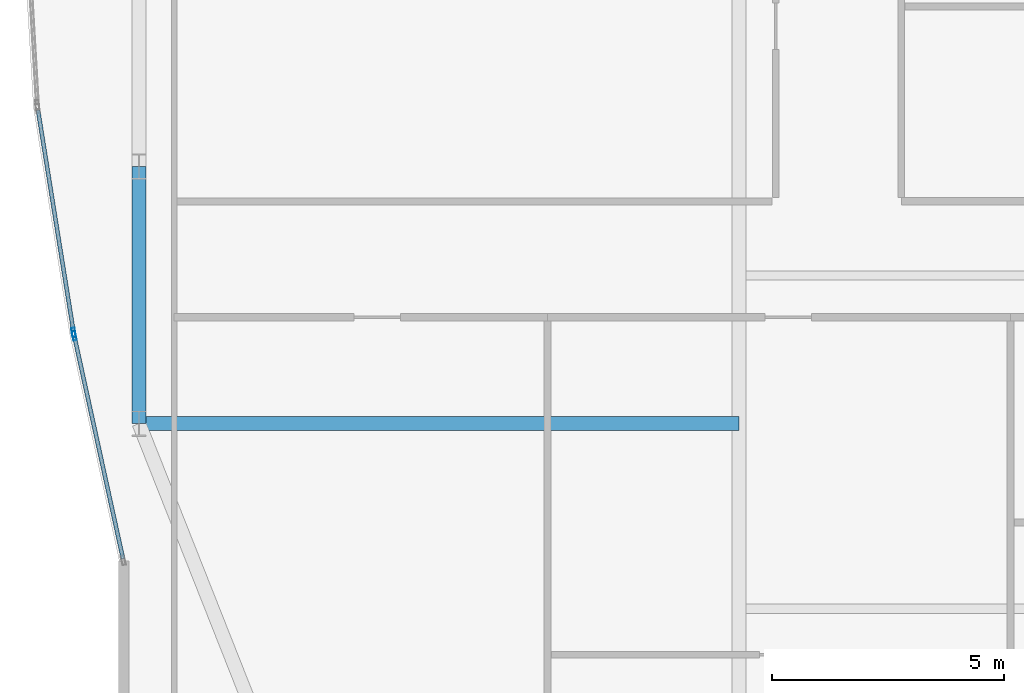
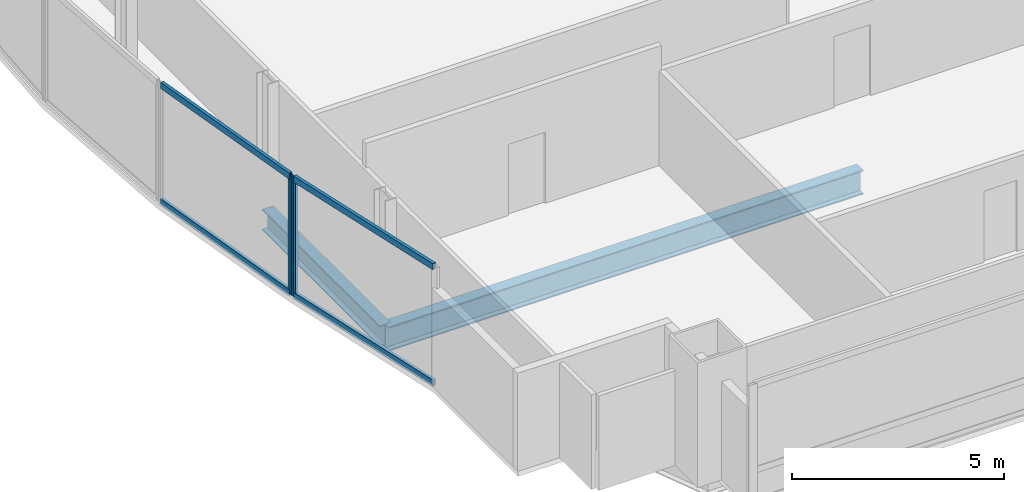
# One storey, part 6 of 29: 6 members, 2 beams, 2 elements without a shape of their own.
"""IFC4 building model written with IfcOpenShell, lengths in metres."""

from ifc_helpers import new_model, si_unit, direction, frame, origin, origin_2d, place, context, subcontext, project, spatial, hollow_rectangle, i_section, extrude, material, material_profile, profile_set, type_object, element, aggregate, save


model = new_model("IFC4")

# Units and contexts
model_context = context("Model", 3, precision=1e-05, world=origin(), true_north=direction((0.0, 1.0)))
body_context = subcontext(model_context, "Body", "Model", "MODEL_VIEW")
ifc_project = project(units=[si_unit("LENGTHUNIT", "METRE"), si_unit("AREAUNIT", "SQUARE_METRE"), si_unit("VOLUMEUNIT", "CUBIC_METRE"), si_unit("PLANEANGLEUNIT", "RADIAN"), si_unit("MASSUNIT", "GRAM", prefix="KILO")], contexts=[model_context])

# Site, building, storey
site_placement = place(None, origin())
site = spatial("IfcSite", under=ifc_project, at=site_placement, CompositionType="ELEMENT")
building_placement = place(site_placement, origin())
building = spatial("IfcBuilding", under=site, at=building_placement, Name="Khoronbel Lancet Exchange", CompositionType="ELEMENT")
storey_placement = place(building_placement, frame((0.0, 0.0, 161.39990234375)))
storey = spatial("IfcBuildingStorey", under=building, at=storey_placement, Name="L40", CompositionType="ELEMENT", Elevation=161.39990234375)

# Beams
ifc_material_1 = material(Name="Steel S355", Category="steel")
ifc_material_profile_1 = material_profile(ifc_material_1, i_section(OverallWidth=0.300048828125, OverallDepth=0.699951171875, WebThickness=0.01708984375, FlangeThickness=0.031982421875, at=origin_2d()), Name="HEB 700")
ifc_profile_set_1 = profile_set([ifc_material_profile_1], Name="Steel S355")
beam_type_1 = type_object("IfcBeamType", Name="BM-BG3", PredefinedType="BEAM", material=ifc_profile_set_1)
beam_1_placement = place(storey_placement, frame((5.27001953125, 19.199951171875, -0.510009765625), z_axis=(1.0, 0.0, 0.0), x_axis=(0.0, 1.0, 0.0)))
element("IfcBeam", 1, at=beam_1_placement, inside=storey, type_object=beam_type_1, Name="Level L40 west lens tie girder LG1W", PredefinedType="BEAM", context=body_context, shape_type="SweptSolid", body=[
    extrude(i_section(OverallWidth=0.300048828125, OverallDepth=0.699951171875, WebThickness=0.01708984375, FlangeThickness=0.031982421875, at=origin_2d()), origin(), (0.0, 0.0, 1.0), 12.955078125),
])
ifc_material_profile_2 = material_profile(ifc_material_1, i_section(OverallWidth=0.300048828125, OverallDepth=0.60009765625, WebThickness=0.015380859375, FlangeThickness=0.030029296875, at=origin_2d()), Name="HEB 600")
ifc_profile_set_2 = profile_set([ifc_material_profile_2], Name="Steel S355")
beam_type_2 = type_object("IfcBeamType", Name="BM-BSP2", PredefinedType="SPANDREL", material=ifc_profile_set_2)
beam_2_placement = place(storey_placement, frame((5.27001953125, 24.75, -0.4599609375), z_axis=(0.0, -1.0, 0.0), x_axis=(1.0, 0.0, 0.0)))
element("IfcBeam", 2, at=beam_2_placement, inside=storey, type_object=beam_type_2, Name="Level L40 perimeter spandrel beam SP20", PredefinedType="SPANDREL", context=body_context, shape_type="SweptSolid", body=[
    extrude(i_section(OverallWidth=0.300048828125, OverallDepth=0.60009765625, WebThickness=0.015380859375, FlangeThickness=0.030029296875, at=origin_2d()), origin(), (0.0, 0.0, 1.0), 5.550048828125),
])

# Curtain wall, member
ifc_material_2 = material(Name="Low-E Solar Control Insulating Glass", Category="glass")
curtain_wall_type = type_object("IfcCurtainWallType", Name="CW-4", PredefinedType="NOTDEFINED", material=ifc_material_2)
curtain_wall_1_placement = place(storey_placement, origin())
curtain_wall_1 = element("IfcCurtainWall", 3, at=curtain_wall_1_placement, inside=storey, type_object=curtain_wall_type, Name="Unitised curtain wall CW-L40-E04", PredefinedType="NOTDEFINED")
ifc_material_3 = material(Name="Bronze-Anodised Aluminium 6063-T6", Category="aluminium")
ifc_material_profile_3 = material_profile(ifc_material_3, hollow_rectangle(XDim=0.074951171875, YDim=0.199951171875, WallThickness=0.0048828125, at=origin_2d()), Name="ALU MULLION 75x200")
ifc_profile_set_3 = profile_set([ifc_material_profile_3], Name="Bronze-Anodised Aluminium 6063-T6")
member_type_1 = type_object("IfcMemberType", Name="MEM-CWM2", PredefinedType="MULLION", material=ifc_profile_set_3)
member_1_placement = place(storey_placement, frame((3.87158203125, 21.0966796875, 0.0), z_axis=(0.0, 0.0, 1.0), x_axis=(-0.976923181341, -0.213590958982, 0.0)))
member_1 = element("IfcMember", 4, at=member_1_placement, type_object=member_type_1, Name="CW4 mullion 2", PredefinedType="MULLION", context=body_context, shape_type="SweptSolid", body=[
    extrude(hollow_rectangle(XDim=0.074951171875, YDim=0.199951171875, WallThickness=0.0048828125, at=origin_2d()), origin(), (0.0, 0.0, 1.0), 3.440185546875),
])

curtain_wall_2_placement = place(storey_placement, origin())
curtain_wall_2 = element("IfcCurtainWall", 5, at=curtain_wall_2_placement, inside=storey, type_object=curtain_wall_type, Name="Unitised curtain wall CW-L40-E05", PredefinedType="NOTDEFINED")
member_2_placement = place(storey_placement, frame((3.857666015625, 21.17041015625, 0.0), z_axis=(0.0, 0.0, 1.0), x_axis=(-0.987429710822, -0.158058742835, 0.0)))
member_2 = element("IfcMember", 6, at=member_2_placement, type_object=member_type_1, Name="CW4 mullion 1", PredefinedType="MULLION", context=body_context, shape_type="SweptSolid", body=[
    extrude(hollow_rectangle(XDim=0.074951171875, YDim=0.199951171875, WallThickness=0.0048828125, at=origin_2d()), origin(), (0.0, 0.0, 1.0), 3.440185546875),
])

# Member
ifc_material_profile_4 = material_profile(ifc_material_3, hollow_rectangle(XDim=0.0849609375, YDim=0.179931640625, WallThickness=0.0048828125, at=origin_2d()), Name="ALU TRANSOM 85x180")
ifc_profile_set_4 = profile_set([ifc_material_profile_4], Name="Bronze-Anodised Aluminium 6063-T6")
member_type_2 = type_object("IfcMemberType", Name="MEM-CWT1", PredefinedType="USERDEFINED", material=ifc_profile_set_4)
member_3_placement = place(storey_placement, frame((4.924072265625, 16.282958984375, 0.04248046875), z_axis=(-0.213588182485, 0.97692378838, 0.0), x_axis=(-0.97692378838, -0.213588182485, 0.0)))
member_3 = element("IfcMember", 7, at=member_3_placement, type_object=member_type_2, Name="CW4 transom 1.1", ObjectType="TRANSOM", PredefinedType="USERDEFINED", context=body_context, shape_type="SweptSolid", body=[
    extrude(hollow_rectangle(XDim=0.0849609375, YDim=0.179931640625, WallThickness=0.0048828125, at=origin_2d()), origin(), (0.0, 0.0, 1.0), 4.889892578125),
])

member_4_placement = place(storey_placement, frame((4.924072265625, 16.282958984375, 3.397705078125), z_axis=(-0.213588182485, 0.97692378838, 0.0), x_axis=(-0.97692378838, -0.213588182485, 0.0)))
member_4 = element("IfcMember", 8, at=member_4_placement, type_object=member_type_2, Name="CW4 transom 1.2", ObjectType="TRANSOM", PredefinedType="USERDEFINED", context=body_context, shape_type="SweptSolid", body=[
    extrude(hollow_rectangle(XDim=0.0849609375, YDim=0.179931640625, WallThickness=0.0048828125, at=origin_2d()), origin(), (0.0, 0.0, 1.0), 4.889892578125),
])

aggregate(curtain_wall_1, [member_1, member_3, member_4])

member_5_placement = place(storey_placement, frame((3.8515625, 21.20751953125, 0.04248046875), z_axis=(-0.158065536684, 0.9874286233, 0.0), x_axis=(-0.9874286233, -0.158065536684, 0.0)))
member_5 = element("IfcMember", 9, at=member_5_placement, type_object=member_type_2, Name="CW4 transom 1.1", ObjectType="TRANSOM", PredefinedType="USERDEFINED", context=body_context, shape_type="SweptSolid", body=[
    extrude(hollow_rectangle(XDim=0.0849609375, YDim=0.179931640625, WallThickness=0.0048828125, at=origin_2d()), origin(), (0.0, 0.0, 1.0), 4.822021484375),
])

member_6_placement = place(storey_placement, frame((3.8515625, 21.20751953125, 3.397705078125), z_axis=(-0.158065536684, 0.9874286233, 0.0), x_axis=(-0.9874286233, -0.158065536684, 0.0)))
member_6 = element("IfcMember", 10, at=member_6_placement, type_object=member_type_2, Name="CW4 transom 1.2", ObjectType="TRANSOM", PredefinedType="USERDEFINED", context=body_context, shape_type="SweptSolid", body=[
    extrude(hollow_rectangle(XDim=0.0849609375, YDim=0.179931640625, WallThickness=0.0048828125, at=origin_2d()), origin(), (0.0, 0.0, 1.0), 4.822021484375),
])

aggregate(curtain_wall_2, [member_2, member_5, member_6])

save(model, "model.ifc")
